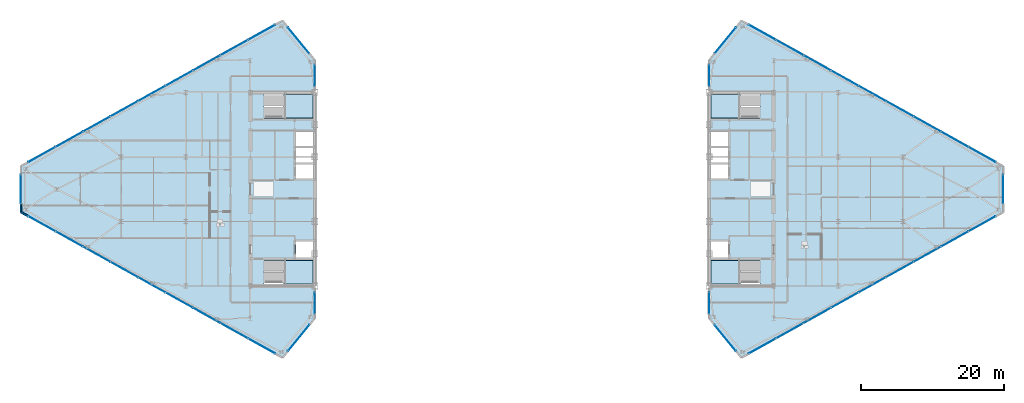
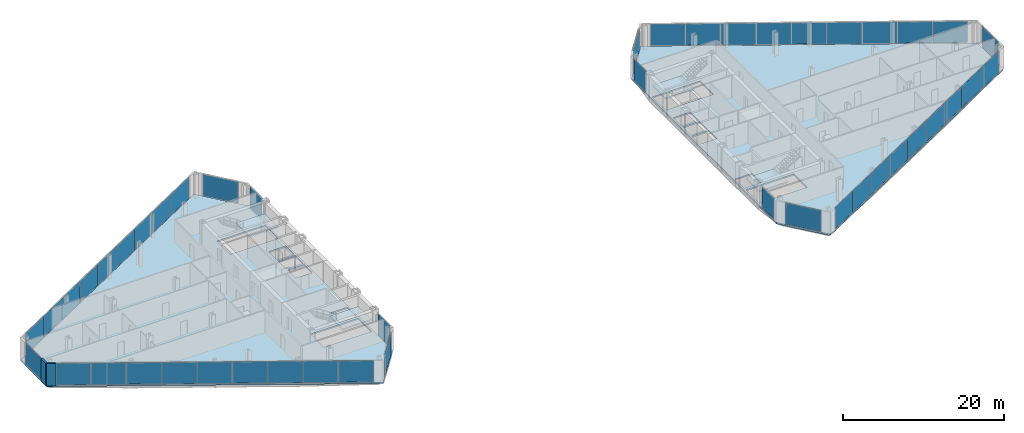
# One storey, part 18 of 25: 46 plates, 6 slabs, 2 walls, 18 elements without a shape of their own.
"""IFC4 building model written with IfcOpenShell, lengths in metres."""

from ifc_helpers import new_model, si_unit, direction, frame, frame_2d, origin, origin_2d, place, context, subcontext, project, spatial, polyline, rectangle, outline, extrude, source, transform, mapped, material, layer, layer_set, type_object, type_shapes, element, aggregate, save


model = new_model("IFC4")

# Units and contexts
model_context = context("Model", 3, precision=1e-05, world=origin(), true_north=direction((0.0, 1.0)))
body_context = subcontext(model_context, "Body", "Model", "MODEL_VIEW")
ifc_project = project(units=[si_unit("LENGTHUNIT", "METRE"), si_unit("AREAUNIT", "SQUARE_METRE"), si_unit("VOLUMEUNIT", "CUBIC_METRE"), si_unit("PLANEANGLEUNIT", "RADIAN"), si_unit("MASSUNIT", "GRAM", prefix="KILO")], contexts=[model_context])

# Site, building, storey
site_placement = place(None, origin())
site = spatial("IfcSite", under=ifc_project, at=site_placement, CompositionType="ELEMENT")
building_placement = place(site_placement, origin())
building = spatial("IfcBuilding", under=site, at=building_placement, Name="Seokmaru Belvedere", CompositionType="ELEMENT")
storey_placement = place(building_placement, frame((0.0, 0.0, 188.699951171875)))
storey = spatial("IfcBuildingStorey", under=building, at=storey_placement, Name="L50", CompositionType="ELEMENT", Elevation=188.699951171875)

# Stair, slab
ifc_material_1 = material(Name="Concrete C40 (40 MPa)", Category="concrete")
stair_type = type_object("IfcStairType", Name="Typical Tower Core Dog-Leg Stair 3600", PredefinedType="TWO_STRAIGHT_RUN_STAIR", material=ifc_material_1)
stair_1_placement = place(storey_placement, origin())
stair_1 = element("IfcStair", 1, at=stair_1_placement, inside=storey, type_object=stair_type, Name="L50 Special Escape Stair ST-W1", PredefinedType="TWO_STRAIGHT_RUN_STAIR")
ifc_layer_1 = layer(ifc_material_1, 0.199951171875)
ifc_layer_set_1 = layer_set([ifc_layer_1], Name="Concrete C40 (40 MPa)")
slab_type_1 = type_object("IfcSlabType", Name="Reinforced Concrete Stair Landing Slab 200", PredefinedType="LANDING", material=ifc_layer_set_1)
slab_1_placement = place(storey_placement, frame((0.0, 0.0, 1.60009765625)))
slab_1 = element("IfcSlab", 2, at=slab_1_placement, type_object=slab_type_1, Name="ST-W1 landing 1", PredefinedType="LANDING", context=body_context, shape_type="SweptSolid", body=[
    extrude(outline(polyline([(-31.8798828125, -13.239990234375), (-27.760009765625, -13.239990234375), (-27.760009765625, -9.949951171875), (-31.8798828125, -9.949951171875), (-31.8798828125, -13.239990234375)])), origin(), (0.0, 0.0, 1.0), 0.199951171875),
])
aggregate(stair_1, [slab_1])

stair_2_placement = place(storey_placement, origin())
stair_2 = element("IfcStair", 3, at=stair_2_placement, inside=storey, type_object=stair_type, Name="L50 Special Escape Stair ST-W2", PredefinedType="TWO_STRAIGHT_RUN_STAIR")
slab_2_placement = place(storey_placement, frame((0.0, 0.0, 1.60009765625)))
slab_2 = element("IfcSlab", 4, at=slab_2_placement, type_object=slab_type_1, Name="ST-W2 landing 1", PredefinedType="LANDING", context=body_context, shape_type="SweptSolid", body=[
    extrude(outline(polyline([(-31.8798828125, 9.949951171875), (-27.760009765625, 9.949951171875), (-27.760009765625, 13.239990234375), (-31.8798828125, 13.239990234375), (-31.8798828125, 9.949951171875)])), origin(), (0.0, 0.0, 1.0), 0.199951171875),
])
aggregate(stair_2, [slab_2])

stair_3_placement = place(storey_placement, origin())
stair_3 = element("IfcStair", 5, at=stair_3_placement, inside=storey, type_object=stair_type, Name="L50 Special Escape Stair ST-E1", PredefinedType="TWO_STRAIGHT_RUN_STAIR")
slab_3_placement = place(storey_placement, frame((0.0, 0.0, 1.60009765625)))
slab_3 = element("IfcSlab", 6, at=slab_3_placement, type_object=slab_type_1, Name="ST-E1 landing 1", PredefinedType="LANDING", context=body_context, shape_type="SweptSolid", body=[
    extrude(outline(polyline([(27.760009765625, -13.239990234375), (31.8798828125, -13.239990234375), (31.8798828125, -9.949951171875), (27.760009765625, -9.949951171875), (27.760009765625, -13.239990234375)])), origin(), (0.0, 0.0, 1.0), 0.199951171875),
])
aggregate(stair_3, [slab_3])

stair_4_placement = place(storey_placement, origin())
stair_4 = element("IfcStair", 7, at=stair_4_placement, inside=storey, type_object=stair_type, Name="L50 Special Escape Stair ST-E2", PredefinedType="TWO_STRAIGHT_RUN_STAIR")
slab_4_placement = place(storey_placement, frame((0.0, 0.0, 1.60009765625)))
slab_4 = element("IfcSlab", 8, at=slab_4_placement, type_object=slab_type_1, Name="ST-E2 landing 1", PredefinedType="LANDING", context=body_context, shape_type="SweptSolid", body=[
    extrude(outline(polyline([(27.760009765625, 9.949951171875), (31.8798828125, 9.949951171875), (31.8798828125, 13.239990234375), (27.760009765625, 13.239990234375), (27.760009765625, 9.949951171875)])), origin(), (0.0, 0.0, 1.0), 0.199951171875),
])
aggregate(stair_4, [slab_4])

# Slabs
ifc_layer_2 = layer(ifc_material_1, 0.219970703125)
ifc_layer_set_2 = layer_set([ifc_layer_2], Name="Concrete C40 (40 MPa)")
slab_type_2 = type_object("IfcSlabType", Name="Typical Tower Composite Floor Slab 220", PredefinedType="FLOOR", material=ifc_layer_set_2)
slab_5_placement = place(storey_placement, frame((0.0, 0.0, -0.219970703125)))
element("IfcSlab", 9, at=slab_5_placement, inside=storey, type_object=slab_type_2, Name="L50 West Leg Floor Slab", PredefinedType="FLOOR", context=body_context, shape_type="SweptSolid", body=[
    extrude(outline(polyline([(-27.5, -18.0), (-27.5, 18.0), (-32.0, 23.5), (-68.5, 3.199951171875), (-68.5, -3.199951171875), (-32.0, -23.5), (-27.5, -18.0)]), holes=[polyline([(-34.60009765625, -13.25), (-27.75, -13.25), (-27.75, -9.949951171875), (-34.60009765625, -9.949951171875), (-34.60009765625, -13.25)]), polyline([(-34.60009765625, 9.949951171875), (-27.75, 9.949951171875), (-27.75, 13.25), (-34.60009765625, 13.25), (-34.60009765625, 9.949951171875)]), polyline([(-30.14990234375, -9.550048828125), (-27.75, -9.550048828125), (-27.75, -7.25), (-30.14990234375, -7.25), (-30.14990234375, -9.550048828125)]), polyline([(-30.14990234375, 1.449951171875), (-27.75, 1.449951171875), (-27.75, 3.449951171875), (-30.14990234375, 3.449951171875), (-30.14990234375, 1.449951171875)]), polyline([(-30.14990234375, 3.75), (-27.75, 3.75), (-27.75, 5.75), (-30.14990234375, 5.75), (-30.14990234375, 3.75)]), polyline([(-30.14990234375, 6.050048828125), (-27.75, 6.050048828125), (-27.75, 8.050048828125), (-30.14990234375, 8.050048828125), (-30.14990234375, 6.050048828125)])]), origin(), (0.0, 0.0, 1.0), 0.219970703125),
])
slab_6_placement = place(storey_placement, frame((0.0, 0.0, -0.219970703125)))
element("IfcSlab", 10, at=slab_6_placement, inside=storey, type_object=slab_type_2, Name="L50 East Leg Floor Slab", PredefinedType="FLOOR", context=body_context, shape_type="SweptSolid", body=[
    extrude(outline(polyline([(32.0, -23.5), (68.5, -3.199951171875), (68.5, 3.199951171875), (32.0, 23.5), (27.5, 18.0), (27.5, -18.0), (32.0, -23.5)]), holes=[polyline([(27.75, -13.25), (34.60009765625, -13.25), (34.60009765625, -9.949951171875), (27.75, -9.949951171875), (27.75, -13.25)]), polyline([(27.75, 9.949951171875), (34.60009765625, 9.949951171875), (34.60009765625, 13.25), (27.75, 13.25), (27.75, 9.949951171875)]), polyline([(27.75, -9.550048828125), (30.14990234375, -9.550048828125), (30.14990234375, -7.25), (27.75, -7.25), (27.75, -9.550048828125)]), polyline([(27.75, 1.449951171875), (30.14990234375, 1.449951171875), (30.14990234375, 3.449951171875), (27.75, 3.449951171875), (27.75, 1.449951171875)]), polyline([(27.75, 3.75), (30.14990234375, 3.75), (30.14990234375, 5.75), (27.75, 5.75), (27.75, 3.75)]), polyline([(27.75, 6.050048828125), (30.14990234375, 6.050048828125), (30.14990234375, 8.050048828125), (27.75, 8.050048828125), (27.75, 6.050048828125)])]), origin(), (0.0, 0.0, 1.0), 0.219970703125),
])

# Curtain wall, plate
ifc_material_2 = material(Name="Bronze Triple Insulating Glass", Category="glass")
ifc_layer_3 = layer(ifc_material_2, 0.179931640625)
ifc_layer_set_3 = layer_set([ifc_layer_3], Name="Bronze Triple Insulating Glass")
curtain_wall_type = type_object("IfcCurtainWallType", Name="High-Rise Wind-Corner Curtain Wall System CW-5", PredefinedType="NOTDEFINED", material=ifc_layer_set_3)
curtain_wall_1_placement = place(storey_placement, origin())
curtain_wall_1 = element("IfcCurtainWall", 11, at=curtain_wall_1_placement, inside=storey, type_object=curtain_wall_type, Name="L50 Curtain Wall WSP_1", PredefinedType="NOTDEFINED")
ifc_layer_4 = layer(ifc_material_2, 0.035888671875)
ifc_layer_set_4 = layer_set([ifc_layer_4], Name="Bronze Triple Insulating Glass")
plate_type = type_object("IfcPlateType", Name="Bronze Triple Vision Glazing Panel 36", PredefinedType="CURTAIN_PANEL", material=ifc_layer_set_4)
shared_shape_1 = source(origin(), body_context, "Body", "SweptSolid", [
    extrude(rectangle(XDim=2.969970703125, YDim=0.035888671875, at=origin_2d()), origin(), (0.0, 0.0, 1.0), 3.25),
])
plate_1_placement = place(storey_placement, frame((-27.5, -15.8798828125, 0.06494140625), z_axis=(0.0, 0.0, 1.0), x_axis=(0.0, 1.0, 0.0)))
plate_1 = element("IfcPlate", 12, at=plate_1_placement, type_object=plate_type, Name="CW:L50:WSP_1 Glazing Panel 1-1", PredefinedType="CURTAIN_PANEL", context=body_context, shape_type="MappedRepresentation", body=[
    mapped(shared_shape_1, transform((0.0, 0.0, 0.0), scale=1.0)),
])
aggregate(curtain_wall_1, [plate_1])

curtain_wall_2_placement = place(storey_placement, origin())
curtain_wall_2 = element("IfcCurtainWall", 13, at=curtain_wall_2_placement, inside=storey, type_object=curtain_wall_type, Name="L50 Curtain Wall WSP_2", PredefinedType="NOTDEFINED")
plate_2_placement = place(storey_placement, frame((-27.5, 15.8798828125, 0.06494140625), z_axis=(0.0, 0.0, 1.0), x_axis=(0.0, 1.0, 0.0)))
plate_2 = element("IfcPlate", 14, at=plate_2_placement, type_object=plate_type, Name="CW:L50:WSP_2 Glazing Panel 1-1", PredefinedType="CURTAIN_PANEL", context=body_context, shape_type="MappedRepresentation", body=[
    mapped(shared_shape_1, transform((0.0, 0.0, 0.0), scale=1.0)),
])
aggregate(curtain_wall_2, [plate_2])

curtain_wall_3_placement = place(storey_placement, origin())
curtain_wall_3 = element("IfcCurtainWall", 15, at=curtain_wall_3_placement, inside=storey, type_object=curtain_wall_type, Name="L50 Curtain Wall ESP_1", PredefinedType="NOTDEFINED")
plate_3_placement = place(storey_placement, frame((27.5, -15.8798828125, 0.06494140625), z_axis=(0.0, 0.0, 1.0), x_axis=(0.0, -1.0, 0.0)))
plate_3 = element("IfcPlate", 16, at=plate_3_placement, type_object=plate_type, Name="CW:L50:ESP_1 Glazing Panel 1-1", PredefinedType="CURTAIN_PANEL", context=body_context, shape_type="MappedRepresentation", body=[
    mapped(shared_shape_1, transform((0.0, 0.0, 0.0), scale=1.0)),
])
aggregate(curtain_wall_3, [plate_3])

curtain_wall_4_placement = place(storey_placement, origin())
curtain_wall_4 = element("IfcCurtainWall", 17, at=curtain_wall_4_placement, inside=storey, type_object=curtain_wall_type, Name="L50 Curtain Wall ESP_2", PredefinedType="NOTDEFINED")
plate_4_placement = place(storey_placement, frame((27.5, 15.8798828125, 0.06494140625), z_axis=(0.0, 0.0, 1.0), x_axis=(0.0, -1.0, 0.0)))
plate_4 = element("IfcPlate", 18, at=plate_4_placement, type_object=plate_type, Name="CW:L50:ESP_2 Glazing Panel 1-1", PredefinedType="CURTAIN_PANEL", context=body_context, shape_type="MappedRepresentation", body=[
    mapped(shared_shape_1, transform((0.0, 0.0, 0.0), scale=1.0)),
])
aggregate(curtain_wall_4, [plate_4])

curtain_wall_5_placement = place(storey_placement, origin())
curtain_wall_5 = element("IfcCurtainWall", 19, at=curtain_wall_5_placement, inside=storey, type_object=curtain_wall_type, Name="L50 Curtain Wall WF2", PredefinedType="NOTDEFINED")
shared_shape_2 = source(origin(), body_context, "Body", "SweptSolid", [
    extrude(rectangle(XDim=4.67626953125, YDim=0.035888671875, at=origin_2d()), origin(), (0.0, 0.0, 1.0), 3.25),
])
plate_5_placement = place(storey_placement, frame((-29.75, 20.75, 0.06494140625), z_axis=(0.0, 0.0, 1.0), x_axis=(-0.633253907144, 0.773944112379, 0.0)))
plate_5 = element("IfcPlate", 20, at=plate_5_placement, type_object=plate_type, Name="CW:L50:WF2 Glazing Panel 1-1", PredefinedType="CURTAIN_PANEL", context=body_context, shape_type="MappedRepresentation", body=[
    mapped(shared_shape_2, transform((0.0, 0.0, 0.0), scale=1.0)),
])
aggregate(curtain_wall_5, [plate_5])

curtain_wall_6_placement = place(storey_placement, origin())
curtain_wall_6 = element("IfcCurtainWall", 21, at=curtain_wall_6_placement, inside=storey, type_object=curtain_wall_type, Name="L50 Curtain Wall WF6", PredefinedType="NOTDEFINED")
plate_6_placement = place(storey_placement, frame((-29.75, -20.75, 0.06494140625), z_axis=(0.0, 0.0, 1.0), x_axis=(0.633253907144, 0.773944112379, 0.0)))
plate_6 = element("IfcPlate", 22, at=plate_6_placement, type_object=plate_type, Name="CW:L50:WF6 Glazing Panel 1-1", PredefinedType="CURTAIN_PANEL", context=body_context, shape_type="MappedRepresentation", body=[
    mapped(shared_shape_2, transform((0.0, 0.0, 0.0), scale=1.0)),
])
aggregate(curtain_wall_6, [plate_6])

curtain_wall_7_placement = place(storey_placement, origin())
curtain_wall_7 = element("IfcCurtainWall", 23, at=curtain_wall_7_placement, inside=storey, type_object=curtain_wall_type, Name="L50 Curtain Wall EF4", PredefinedType="NOTDEFINED")
plate_7_placement = place(storey_placement, frame((29.75, 20.75, 0.06494140625), z_axis=(0.0, 0.0, 1.0), x_axis=(-0.633253907144, -0.773944112379, 0.0)))
plate_7 = element("IfcPlate", 24, at=plate_7_placement, type_object=plate_type, Name="CW:L50:EF4 Glazing Panel 1-1", PredefinedType="CURTAIN_PANEL", context=body_context, shape_type="MappedRepresentation", body=[
    mapped(shared_shape_2, transform((0.0, 0.0, 0.0), scale=1.0)),
])
aggregate(curtain_wall_7, [plate_7])

curtain_wall_8_placement = place(storey_placement, origin())
curtain_wall_8 = element("IfcCurtainWall", 25, at=curtain_wall_8_placement, inside=storey, type_object=curtain_wall_type, Name="L50 Curtain Wall EF6", PredefinedType="NOTDEFINED")
plate_8_placement = place(storey_placement, frame((29.75, -20.75, 0.06494140625), z_axis=(0.0, 0.0, 1.0), x_axis=(0.633253907144, -0.773944112379, 0.0)))
plate_8 = element("IfcPlate", 26, at=plate_8_placement, type_object=plate_type, Name="CW:L50:EF6 Glazing Panel 1-1", PredefinedType="CURTAIN_PANEL", context=body_context, shape_type="MappedRepresentation", body=[
    mapped(shared_shape_2, transform((0.0, 0.0, 0.0), scale=1.0)),
])
aggregate(curtain_wall_8, [plate_8])

# Curtain wall, plates
curtain_wall_9_placement = place(storey_placement, origin())
curtain_wall_9 = element("IfcCurtainWall", 27, at=curtain_wall_9_placement, inside=storey, type_object=curtain_wall_type, Name="L50 Curtain Wall WF3", PredefinedType="NOTDEFINED")
shared_shape_3 = source(origin(), body_context, "Body", "SweptSolid", [
    extrude(rectangle(XDim=4.28759765625, YDim=0.035888671875, at=origin_2d()), origin(), (0.0, 0.0, 1.0), 3.25),
])
plate_9_placement = place(storey_placement, frame((-34.935302734375, 21.867431640625, 0.06494140625), z_axis=(0.0, 0.0, 1.0), x_axis=(-0.873932601598, -0.486047125147, 0.0)))
plate_9 = element("IfcPlate", 28, at=plate_9_placement, type_object=plate_type, Name="CW:L50:WF3 Glazing Panel 1-1", PredefinedType="CURTAIN_PANEL", context=body_context, shape_type="MappedRepresentation", body=[
    mapped(shared_shape_3, transform((0.0, 0.0, 0.0), scale=1.0)),
])
plate_10_placement = place(storey_placement, frame((-65.564697265625, 4.83251953125, 0.06494140625), z_axis=(0.0, 0.0, 1.0), x_axis=(-0.873932601598, -0.486047125147, 0.0)))
plate_10 = element("IfcPlate", 29, at=plate_10_placement, type_object=plate_type, Name="CW:L50:WF3 Glazing Panel 9-1", PredefinedType="CURTAIN_PANEL", context=body_context, shape_type="MappedRepresentation", body=[
    mapped(shared_shape_3, transform((0.0, 0.0, 0.0), scale=1.0)),
])

curtain_wall_10_placement = place(storey_placement, origin())
curtain_wall_10 = element("IfcCurtainWall", 30, at=curtain_wall_10_placement, inside=storey, type_object=curtain_wall_type, Name="L50 Curtain Wall WF5", PredefinedType="NOTDEFINED")
plate_11_placement = place(storey_placement, frame((-65.564697265625, -4.83251953125, 0.06494140625), z_axis=(0.0, 0.0, 1.0), x_axis=(0.873932601598, -0.486047125147, 0.0)))
plate_11 = element("IfcPlate", 31, at=plate_11_placement, type_object=plate_type, Name="CW:L50:WF5 Glazing Panel 1-1", PredefinedType="CURTAIN_PANEL", context=body_context, shape_type="MappedRepresentation", body=[
    mapped(shared_shape_3, transform((0.0, 0.0, 0.0), scale=1.0)),
])
plate_12_placement = place(storey_placement, frame((-34.935302734375, -21.867431640625, 0.06494140625), z_axis=(0.0, 0.0, 1.0), x_axis=(0.873932601598, -0.486047125147, 0.0)))
plate_12 = element("IfcPlate", 32, at=plate_12_placement, type_object=plate_type, Name="CW:L50:WF5 Glazing Panel 9-1", PredefinedType="CURTAIN_PANEL", context=body_context, shape_type="MappedRepresentation", body=[
    mapped(shared_shape_3, transform((0.0, 0.0, 0.0), scale=1.0)),
])

curtain_wall_11_placement = place(storey_placement, origin())
curtain_wall_11 = element("IfcCurtainWall", 33, at=curtain_wall_11_placement, inside=storey, type_object=curtain_wall_type, Name="L50 Curtain Wall EF1", PredefinedType="NOTDEFINED")
plate_13_placement = place(storey_placement, frame((34.935302734375, -21.867431640625, 0.06494140625), z_axis=(0.0, 0.0, 1.0), x_axis=(0.873932601598, 0.486047125147, 0.0)))
plate_13 = element("IfcPlate", 34, at=plate_13_placement, type_object=plate_type, Name="CW:L50:EF1 Glazing Panel 1-1", PredefinedType="CURTAIN_PANEL", context=body_context, shape_type="MappedRepresentation", body=[
    mapped(shared_shape_3, transform((0.0, 0.0, 0.0), scale=1.0)),
])
plate_14_placement = place(storey_placement, frame((65.564697265625, -4.83251953125, 0.06494140625), z_axis=(0.0, 0.0, 1.0), x_axis=(0.873932601598, 0.486047125147, 0.0)))
plate_14 = element("IfcPlate", 35, at=plate_14_placement, type_object=plate_type, Name="CW:L50:EF1 Glazing Panel 9-1", PredefinedType="CURTAIN_PANEL", context=body_context, shape_type="MappedRepresentation", body=[
    mapped(shared_shape_3, transform((0.0, 0.0, 0.0), scale=1.0)),
])

curtain_wall_12_placement = place(storey_placement, origin())
curtain_wall_12 = element("IfcCurtainWall", 36, at=curtain_wall_12_placement, inside=storey, type_object=curtain_wall_type, Name="L50 Curtain Wall EF3", PredefinedType="NOTDEFINED")
plate_15_placement = place(storey_placement, frame((65.564697265625, 4.83251953125, 0.06494140625), z_axis=(0.0, 0.0, 1.0), x_axis=(-0.873932601598, 0.486047125147, 0.0)))
plate_15 = element("IfcPlate", 37, at=plate_15_placement, type_object=plate_type, Name="CW:L50:EF3 Glazing Panel 1-1", PredefinedType="CURTAIN_PANEL", context=body_context, shape_type="MappedRepresentation", body=[
    mapped(shared_shape_3, transform((0.0, 0.0, 0.0), scale=1.0)),
])
plate_16_placement = place(storey_placement, frame((34.935302734375, 21.867431640625, 0.06494140625), z_axis=(0.0, 0.0, 1.0), x_axis=(-0.873932601598, 0.486047125147, 0.0)))
plate_16 = element("IfcPlate", 38, at=plate_16_placement, type_object=plate_type, Name="CW:L50:EF3 Glazing Panel 9-1", PredefinedType="CURTAIN_PANEL", context=body_context, shape_type="MappedRepresentation", body=[
    mapped(shared_shape_3, transform((0.0, 0.0, 0.0), scale=1.0)),
])

# Plate
shared_shape_4 = source(origin(), body_context, "Body", "SweptSolid", [
    extrude(rectangle(XDim=4.320068359375, YDim=0.035888671875, at=origin_2d()), origin(), (0.0, 0.0, 1.0), 3.25),
])
plate_17_placement = place(storey_placement, frame((-38.75341796875, 19.743896484375, 0.06494140625), z_axis=(0.0, 0.0, 1.0), x_axis=(-0.873932601598, -0.486047125147, 0.0)))
plate_17 = element("IfcPlate", 39, at=plate_17_placement, type_object=plate_type, Name="CW:L50:WF3 Glazing Panel 2-1", PredefinedType="CURTAIN_PANEL", context=body_context, shape_type="MappedRepresentation", body=[
    mapped(shared_shape_4, transform((0.0, 0.0, 0.0), scale=1.0)),
])

plate_18_placement = place(storey_placement, frame((-42.585693359375, 17.61279296875, 0.06494140625), z_axis=(0.0, 0.0, 1.0), x_axis=(-0.873932601598, -0.486047125147, 0.0)))
plate_18 = element("IfcPlate", 40, at=plate_18_placement, type_object=plate_type, Name="CW:L50:WF3 Glazing Panel 3-1", PredefinedType="CURTAIN_PANEL", context=body_context, shape_type="MappedRepresentation", body=[
    mapped(shared_shape_4, transform((0.0, 0.0, 0.0), scale=1.0)),
])

plate_19_placement = place(storey_placement, frame((-46.417724609375, 15.481201171875, 0.06494140625), z_axis=(0.0, 0.0, 1.0), x_axis=(-0.873932601598, -0.486047125147, 0.0)))
plate_19 = element("IfcPlate", 41, at=plate_19_placement, type_object=plate_type, Name="CW:L50:WF3 Glazing Panel 4-1", PredefinedType="CURTAIN_PANEL", context=body_context, shape_type="MappedRepresentation", body=[
    mapped(shared_shape_4, transform((0.0, 0.0, 0.0), scale=1.0)),
])

plate_20_placement = place(storey_placement, frame((-50.25, 13.35009765625, 0.06494140625), z_axis=(0.0, 0.0, 1.0), x_axis=(-0.873932601598, -0.486047125147, 0.0)))
plate_20 = element("IfcPlate", 42, at=plate_20_placement, type_object=plate_type, Name="CW:L50:WF3 Glazing Panel 5-1", PredefinedType="CURTAIN_PANEL", context=body_context, shape_type="MappedRepresentation", body=[
    mapped(shared_shape_4, transform((0.0, 0.0, 0.0), scale=1.0)),
])

plate_21_placement = place(storey_placement, frame((-54.082275390625, 11.21875, 0.06494140625), z_axis=(0.0, 0.0, 1.0), x_axis=(-0.873932601598, -0.486047125147, 0.0)))
plate_21 = element("IfcPlate", 43, at=plate_21_placement, type_object=plate_type, Name="CW:L50:WF3 Glazing Panel 6-1", PredefinedType="CURTAIN_PANEL", context=body_context, shape_type="MappedRepresentation", body=[
    mapped(shared_shape_4, transform((0.0, 0.0, 0.0), scale=1.0)),
])

plate_22_placement = place(storey_placement, frame((-57.914306640625, 9.08740234375, 0.06494140625), z_axis=(0.0, 0.0, 1.0), x_axis=(-0.873932601598, -0.486047125147, 0.0)))
plate_22 = element("IfcPlate", 44, at=plate_22_placement, type_object=plate_type, Name="CW:L50:WF3 Glazing Panel 7-1", PredefinedType="CURTAIN_PANEL", context=body_context, shape_type="MappedRepresentation", body=[
    mapped(shared_shape_4, transform((0.0, 0.0, 0.0), scale=1.0)),
])

plate_23_placement = place(storey_placement, frame((-61.74658203125, 6.9560546875, 0.06494140625), z_axis=(0.0, 0.0, 1.0), x_axis=(-0.873932601598, -0.486047125147, 0.0)))
plate_23 = element("IfcPlate", 45, at=plate_23_placement, type_object=plate_type, Name="CW:L50:WF3 Glazing Panel 8-1", PredefinedType="CURTAIN_PANEL", context=body_context, shape_type="MappedRepresentation", body=[
    mapped(shared_shape_4, transform((0.0, 0.0, 0.0), scale=1.0)),
])

aggregate(curtain_wall_9, [plate_9, plate_17, plate_18, plate_19, plate_20, plate_21, plate_22, plate_23, plate_10])

plate_24_placement = place(storey_placement, frame((-61.74658203125, -6.9560546875, 0.06494140625), z_axis=(0.0, 0.0, 1.0), x_axis=(0.873932601598, -0.486047125147, 0.0)))
plate_24 = element("IfcPlate", 46, at=plate_24_placement, type_object=plate_type, Name="CW:L50:WF5 Glazing Panel 2-1", PredefinedType="CURTAIN_PANEL", context=body_context, shape_type="MappedRepresentation", body=[
    mapped(shared_shape_4, transform((0.0, 0.0, 0.0), scale=1.0)),
])

plate_25_placement = place(storey_placement, frame((-57.914306640625, -9.08740234375, 0.06494140625), z_axis=(0.0, 0.0, 1.0), x_axis=(0.873932601598, -0.486047125147, 0.0)))
plate_25 = element("IfcPlate", 47, at=plate_25_placement, type_object=plate_type, Name="CW:L50:WF5 Glazing Panel 3-1", PredefinedType="CURTAIN_PANEL", context=body_context, shape_type="MappedRepresentation", body=[
    mapped(shared_shape_4, transform((0.0, 0.0, 0.0), scale=1.0)),
])

plate_26_placement = place(storey_placement, frame((-54.082275390625, -11.21875, 0.06494140625), z_axis=(0.0, 0.0, 1.0), x_axis=(0.873932601598, -0.486047125147, 0.0)))
plate_26 = element("IfcPlate", 48, at=plate_26_placement, type_object=plate_type, Name="CW:L50:WF5 Glazing Panel 4-1", PredefinedType="CURTAIN_PANEL", context=body_context, shape_type="MappedRepresentation", body=[
    mapped(shared_shape_4, transform((0.0, 0.0, 0.0), scale=1.0)),
])

plate_27_placement = place(storey_placement, frame((-50.25, -13.35009765625, 0.06494140625), z_axis=(0.0, 0.0, 1.0), x_axis=(0.873932601598, -0.486047125147, 0.0)))
plate_27 = element("IfcPlate", 49, at=plate_27_placement, type_object=plate_type, Name="CW:L50:WF5 Glazing Panel 5-1", PredefinedType="CURTAIN_PANEL", context=body_context, shape_type="MappedRepresentation", body=[
    mapped(shared_shape_4, transform((0.0, 0.0, 0.0), scale=1.0)),
])

plate_28_placement = place(storey_placement, frame((-46.417724609375, -15.481201171875, 0.06494140625), z_axis=(0.0, 0.0, 1.0), x_axis=(0.873932601598, -0.486047125147, 0.0)))
plate_28 = element("IfcPlate", 50, at=plate_28_placement, type_object=plate_type, Name="CW:L50:WF5 Glazing Panel 6-1", PredefinedType="CURTAIN_PANEL", context=body_context, shape_type="MappedRepresentation", body=[
    mapped(shared_shape_4, transform((0.0, 0.0, 0.0), scale=1.0)),
])

plate_29_placement = place(storey_placement, frame((-42.585693359375, -17.61279296875, 0.06494140625), z_axis=(0.0, 0.0, 1.0), x_axis=(0.873932601598, -0.486047125147, 0.0)))
plate_29 = element("IfcPlate", 51, at=plate_29_placement, type_object=plate_type, Name="CW:L50:WF5 Glazing Panel 7-1", PredefinedType="CURTAIN_PANEL", context=body_context, shape_type="MappedRepresentation", body=[
    mapped(shared_shape_4, transform((0.0, 0.0, 0.0), scale=1.0)),
])

plate_30_placement = place(storey_placement, frame((-38.75341796875, -19.743896484375, 0.06494140625), z_axis=(0.0, 0.0, 1.0), x_axis=(0.873932601598, -0.486047125147, 0.0)))
plate_30 = element("IfcPlate", 52, at=plate_30_placement, type_object=plate_type, Name="CW:L50:WF5 Glazing Panel 8-1", PredefinedType="CURTAIN_PANEL", context=body_context, shape_type="MappedRepresentation", body=[
    mapped(shared_shape_4, transform((0.0, 0.0, 0.0), scale=1.0)),
])

aggregate(curtain_wall_10, [plate_11, plate_24, plate_25, plate_26, plate_27, plate_28, plate_29, plate_30, plate_12])

plate_31_placement = place(storey_placement, frame((38.75341796875, -19.743896484375, 0.06494140625), z_axis=(0.0, 0.0, 1.0), x_axis=(0.873932601598, 0.486047125147, 0.0)))
plate_31 = element("IfcPlate", 53, at=plate_31_placement, type_object=plate_type, Name="CW:L50:EF1 Glazing Panel 2-1", PredefinedType="CURTAIN_PANEL", context=body_context, shape_type="MappedRepresentation", body=[
    mapped(shared_shape_4, transform((0.0, 0.0, 0.0), scale=1.0)),
])

plate_32_placement = place(storey_placement, frame((42.585693359375, -17.61279296875, 0.06494140625), z_axis=(0.0, 0.0, 1.0), x_axis=(0.873932601598, 0.486047125147, 0.0)))
plate_32 = element("IfcPlate", 54, at=plate_32_placement, type_object=plate_type, Name="CW:L50:EF1 Glazing Panel 3-1", PredefinedType="CURTAIN_PANEL", context=body_context, shape_type="MappedRepresentation", body=[
    mapped(shared_shape_4, transform((0.0, 0.0, 0.0), scale=1.0)),
])

plate_33_placement = place(storey_placement, frame((46.417724609375, -15.481201171875, 0.06494140625), z_axis=(0.0, 0.0, 1.0), x_axis=(0.873932601598, 0.486047125147, 0.0)))
plate_33 = element("IfcPlate", 55, at=plate_33_placement, type_object=plate_type, Name="CW:L50:EF1 Glazing Panel 4-1", PredefinedType="CURTAIN_PANEL", context=body_context, shape_type="MappedRepresentation", body=[
    mapped(shared_shape_4, transform((0.0, 0.0, 0.0), scale=1.0)),
])

plate_34_placement = place(storey_placement, frame((50.25, -13.35009765625, 0.06494140625), z_axis=(0.0, 0.0, 1.0), x_axis=(0.873932601598, 0.486047125147, 0.0)))
plate_34 = element("IfcPlate", 56, at=plate_34_placement, type_object=plate_type, Name="CW:L50:EF1 Glazing Panel 5-1", PredefinedType="CURTAIN_PANEL", context=body_context, shape_type="MappedRepresentation", body=[
    mapped(shared_shape_4, transform((0.0, 0.0, 0.0), scale=1.0)),
])

plate_35_placement = place(storey_placement, frame((54.082275390625, -11.21875, 0.06494140625), z_axis=(0.0, 0.0, 1.0), x_axis=(0.873932601598, 0.486047125147, 0.0)))
plate_35 = element("IfcPlate", 57, at=plate_35_placement, type_object=plate_type, Name="CW:L50:EF1 Glazing Panel 6-1", PredefinedType="CURTAIN_PANEL", context=body_context, shape_type="MappedRepresentation", body=[
    mapped(shared_shape_4, transform((0.0, 0.0, 0.0), scale=1.0)),
])

plate_36_placement = place(storey_placement, frame((57.914306640625, -9.08740234375, 0.06494140625), z_axis=(0.0, 0.0, 1.0), x_axis=(0.873932601598, 0.486047125147, 0.0)))
plate_36 = element("IfcPlate", 58, at=plate_36_placement, type_object=plate_type, Name="CW:L50:EF1 Glazing Panel 7-1", PredefinedType="CURTAIN_PANEL", context=body_context, shape_type="MappedRepresentation", body=[
    mapped(shared_shape_4, transform((0.0, 0.0, 0.0), scale=1.0)),
])

plate_37_placement = place(storey_placement, frame((61.74658203125, -6.9560546875, 0.06494140625), z_axis=(0.0, 0.0, 1.0), x_axis=(0.873932601598, 0.486047125147, 0.0)))
plate_37 = element("IfcPlate", 59, at=plate_37_placement, type_object=plate_type, Name="CW:L50:EF1 Glazing Panel 8-1", PredefinedType="CURTAIN_PANEL", context=body_context, shape_type="MappedRepresentation", body=[
    mapped(shared_shape_4, transform((0.0, 0.0, 0.0), scale=1.0)),
])

aggregate(curtain_wall_11, [plate_13, plate_31, plate_32, plate_33, plate_34, plate_35, plate_36, plate_37, plate_14])

plate_38_placement = place(storey_placement, frame((61.74658203125, 6.9560546875, 0.06494140625), z_axis=(0.0, 0.0, 1.0), x_axis=(-0.873932601598, 0.486047125147, 0.0)))
plate_38 = element("IfcPlate", 60, at=plate_38_placement, type_object=plate_type, Name="CW:L50:EF3 Glazing Panel 2-1", PredefinedType="CURTAIN_PANEL", context=body_context, shape_type="MappedRepresentation", body=[
    mapped(shared_shape_4, transform((0.0, 0.0, 0.0), scale=1.0)),
])

plate_39_placement = place(storey_placement, frame((57.914306640625, 9.08740234375, 0.06494140625), z_axis=(0.0, 0.0, 1.0), x_axis=(-0.873932601598, 0.486047125147, 0.0)))
plate_39 = element("IfcPlate", 61, at=plate_39_placement, type_object=plate_type, Name="CW:L50:EF3 Glazing Panel 3-1", PredefinedType="CURTAIN_PANEL", context=body_context, shape_type="MappedRepresentation", body=[
    mapped(shared_shape_4, transform((0.0, 0.0, 0.0), scale=1.0)),
])

plate_40_placement = place(storey_placement, frame((54.082275390625, 11.21875, 0.06494140625), z_axis=(0.0, 0.0, 1.0), x_axis=(-0.873932601598, 0.486047125147, 0.0)))
plate_40 = element("IfcPlate", 62, at=plate_40_placement, type_object=plate_type, Name="CW:L50:EF3 Glazing Panel 4-1", PredefinedType="CURTAIN_PANEL", context=body_context, shape_type="MappedRepresentation", body=[
    mapped(shared_shape_4, transform((0.0, 0.0, 0.0), scale=1.0)),
])

plate_41_placement = place(storey_placement, frame((50.25, 13.35009765625, 0.06494140625), z_axis=(0.0, 0.0, 1.0), x_axis=(-0.873932601598, 0.486047125147, 0.0)))
plate_41 = element("IfcPlate", 63, at=plate_41_placement, type_object=plate_type, Name="CW:L50:EF3 Glazing Panel 5-1", PredefinedType="CURTAIN_PANEL", context=body_context, shape_type="MappedRepresentation", body=[
    mapped(shared_shape_4, transform((0.0, 0.0, 0.0), scale=1.0)),
])

plate_42_placement = place(storey_placement, frame((46.417724609375, 15.481201171875, 0.06494140625), z_axis=(0.0, 0.0, 1.0), x_axis=(-0.873932601598, 0.486047125147, 0.0)))
plate_42 = element("IfcPlate", 64, at=plate_42_placement, type_object=plate_type, Name="CW:L50:EF3 Glazing Panel 6-1", PredefinedType="CURTAIN_PANEL", context=body_context, shape_type="MappedRepresentation", body=[
    mapped(shared_shape_4, transform((0.0, 0.0, 0.0), scale=1.0)),
])

plate_43_placement = place(storey_placement, frame((42.585693359375, 17.61279296875, 0.06494140625), z_axis=(0.0, 0.0, 1.0), x_axis=(-0.873932601598, 0.486047125147, 0.0)))
plate_43 = element("IfcPlate", 65, at=plate_43_placement, type_object=plate_type, Name="CW:L50:EF3 Glazing Panel 7-1", PredefinedType="CURTAIN_PANEL", context=body_context, shape_type="MappedRepresentation", body=[
    mapped(shared_shape_4, transform((0.0, 0.0, 0.0), scale=1.0)),
])

plate_44_placement = place(storey_placement, frame((38.75341796875, 19.743896484375, 0.06494140625), z_axis=(0.0, 0.0, 1.0), x_axis=(-0.873932601598, 0.486047125147, 0.0)))
plate_44 = element("IfcPlate", 66, at=plate_44_placement, type_object=plate_type, Name="CW:L50:EF3 Glazing Panel 8-1", PredefinedType="CURTAIN_PANEL", context=body_context, shape_type="MappedRepresentation", body=[
    mapped(shared_shape_4, transform((0.0, 0.0, 0.0), scale=1.0)),
])

aggregate(curtain_wall_12, [plate_15, plate_38, plate_39, plate_40, plate_41, plate_42, plate_43, plate_44, plate_16])

# Curtain wall, plate
curtain_wall_13_placement = place(storey_placement, origin())
curtain_wall_13 = element("IfcCurtainWall", 67, at=curtain_wall_13_placement, inside=storey, type_object=curtain_wall_type, Name="L50 Curtain Wall WF4", PredefinedType="NOTDEFINED")
shared_shape_5 = source(origin(), body_context, "Body", "SweptSolid", [
    extrude(rectangle(XDim=3.969970703125, YDim=0.035888671875, at=origin_2d()), origin(), (0.0, 0.0, 1.0), 3.25),
])
type_shapes(plate_type, [shared_shape_1, shared_shape_2, shared_shape_3, shared_shape_4, shared_shape_5])
plate_45_placement = place(storey_placement, frame((-68.5, 0.0, 0.06494140625), z_axis=(0.0, 0.0, 1.0), x_axis=(0.0, -1.0, 0.0)))
plate_45 = element("IfcPlate", 68, at=plate_45_placement, type_object=plate_type, Name="CW:L50:WF4 Glazing Panel 1-1", PredefinedType="CURTAIN_PANEL", context=body_context, shape_type="MappedRepresentation", body=[
    mapped(shared_shape_5, transform((0.0, 0.0, 0.0), scale=1.0)),
])
aggregate(curtain_wall_13, [plate_45])

curtain_wall_14_placement = place(storey_placement, origin())
curtain_wall_14 = element("IfcCurtainWall", 69, at=curtain_wall_14_placement, inside=storey, type_object=curtain_wall_type, Name="L50 Curtain Wall EF2", PredefinedType="NOTDEFINED")
plate_46_placement = place(storey_placement, frame((68.5, 0.0, 0.06494140625), z_axis=(0.0, 0.0, 1.0), x_axis=(0.0, 1.0, 0.0)))
plate_46 = element("IfcPlate", 70, at=plate_46_placement, type_object=plate_type, Name="CW:L50:EF2 Glazing Panel 1-1", PredefinedType="CURTAIN_PANEL", context=body_context, shape_type="MappedRepresentation", body=[
    mapped(shared_shape_5, transform((0.0, 0.0, 0.0), scale=1.0)),
])
aggregate(curtain_wall_14, [plate_46])

# Walls
ifc_material_3 = material(Name="Anodised Bronze Aluminium", Category="aluminium")
ifc_layer_5 = layer(ifc_material_3, 0.239990234375)
ifc_layer_set_5 = layer_set([ifc_layer_5], Name="Anodised Bronze Aluminium")
wall_type = type_object("IfcWallType", Name="Tower Corner Spandrel Closure Wall 240", PredefinedType="SOLIDWALL", material=ifc_layer_set_5)
for number, where, z_axis, x_axis, name in (
    (71, (-68.5, -2.050048828125, 0.0), (0.0, 0.0, 1.0), (0.0, -1.0, 0.0), "L50 W Corner Closure Pier 4B"),
    (72, (-68.4912109375, -3.204833984375, 0.0), (0.0, 0.0, 1.0), (0.87385402111, -0.486188389196, 0.0), "L50 W Corner Closure Pier 5A"),
):
    element("IfcWall", number, at=place(storey_placement, frame(where, z_axis=z_axis, x_axis=x_axis)), inside=storey, type_object=wall_type, Name=name, PredefinedType="SOLIDWALL", context=body_context, shape_type="SweptSolid", body=[
        extrude(rectangle(XDim=1.139892578125, YDim=0.239990234375, at=frame_2d((0.56982421875, 0.0))), origin(), (0.0, 0.0, 1.0), 3.380126953125),
    ])

save(model, "model.ifc")
